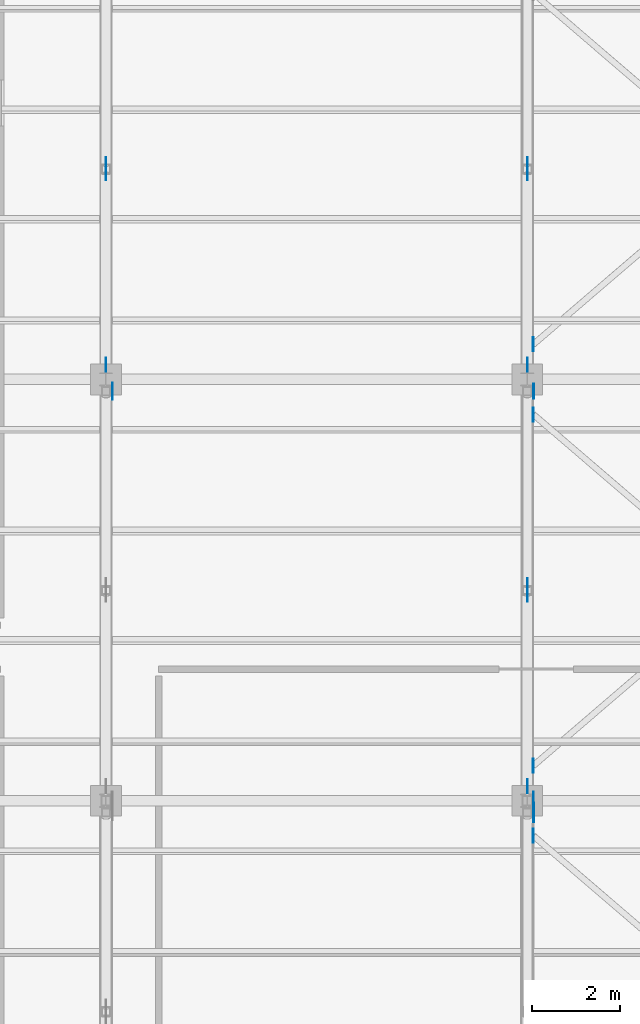
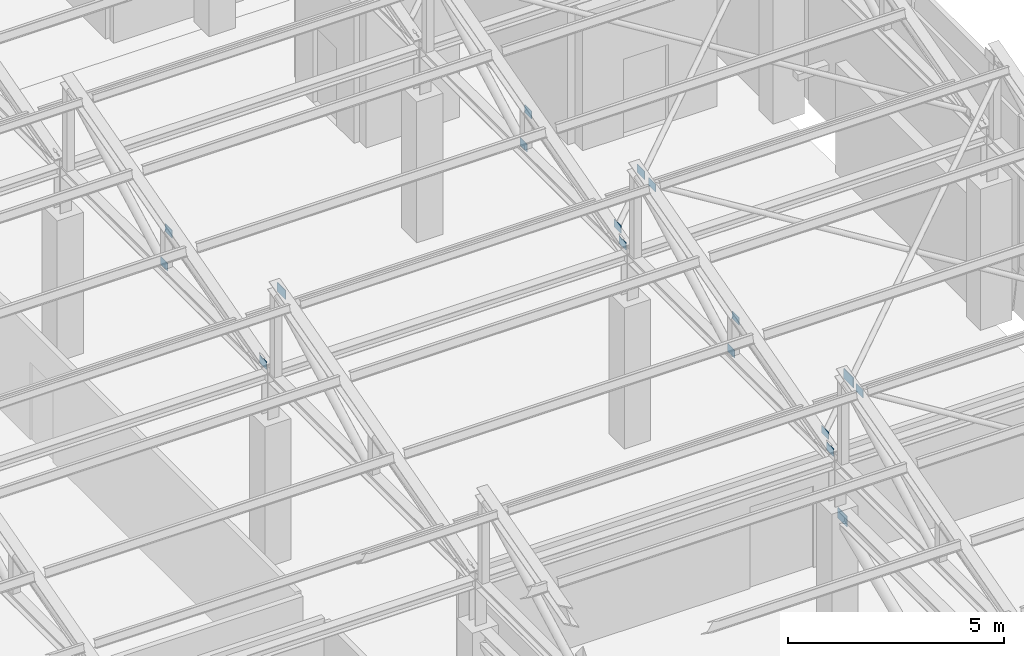
# One storey, part 50 of 71: 17 plates.
"""IFC4 building model written with IfcOpenShell, lengths in metres."""

import ifcopenshell
import ifcopenshell.guid

model = None  # the IFC model being written
_history = None  # IfcOwnerHistory: only IFC2X3 demands one
_inside = {}  # id of a spatial element -> (the spatial element, [elements in it])
_under = {}  # id of a project, library or spatial element -> (it, [spatial elements below it])
_declared = {}  # id of a project -> (the project, [libraries it declares])
_typed = {}  # id of a type object -> (the type object, [elements of that type])
_made_of = {}  # id of a material, layer set ... -> (it, [elements and type objects made of it])


def new_model(schema):
    """Start an empty IFC model of exactly this schema.

    Asked for "IFC4X3", IfcOpenShell would pick the latest addendum, in which some entities
    have other attributes; the version numbers below select the first issue.
    IFC2X3 requires an IfcOwnerHistory on every rooted entity: one is made here for all.
    """
    global model, _history
    if schema == "IFC4X3":
        model = ifcopenshell.file(schema_version=(4, 3, 0, 0))
    else:
        model = ifcopenshell.file(schema=schema)
    _inside.clear()
    _under.clear()
    _declared.clear()
    _typed.clear()
    _made_of.clear()
    _history = None
    if model.schema == "IFC2X3":
        org = make("IfcOrganization", Name="unknown")
        user = make(
            "IfcPersonAndOrganization",
            ThePerson=make("IfcPerson", FamilyName="unknown"),
            TheOrganization=org,
        )
        app = make(
            "IfcApplication",
            ApplicationDeveloper=org,
            Version="unknown",
            ApplicationFullName="unknown",
            ApplicationIdentifier="unknown",
        )
        _history = make(
            "IfcOwnerHistory",
            OwningUser=user,
            OwningApplication=app,
            ChangeAction="ADDED",
            CreationDate=0,
        )
    return model


def make(cls, **values):
    """One entity of the class cls with the attributes given. An attribute that is None is left unset."""
    return model.create_entity(
        cls, **{name: value for name, value in values.items() if value is not None}
    )


def rooted(cls, **values):
    """An entity with a GlobalId (a new one), such as an element, a storey or a relation."""
    return make(cls, GlobalId=ifcopenshell.guid.new(), OwnerHistory=_history, **values)


def si_unit(unit_type, name, prefix=None):
    """IfcSIUnit, for example si_unit("LENGTHUNIT", "METRE", prefix="MILLI")."""
    return make("IfcSIUnit", UnitType=unit_type, Prefix=prefix, Name=name)


def assignment(units):
    """IfcUnitAssignment: the units of a project."""
    return None if units is None else make("IfcUnitAssignment", Units=units)


def point(xyz):
    """IfcCartesianPoint."""
    return None if xyz is None else make("IfcCartesianPoint", Coordinates=xyz)


def direction(xyz):
    """IfcDirection."""
    return None if xyz is None else make("IfcDirection", DirectionRatios=xyz)


def frame(location, z_axis=None, x_axis=None):
    """IfcAxis2Placement3D, a coordinate frame: its origin and axes. An axis left out is left unset."""
    return make(
        "IfcAxis2Placement3D",
        Location=point(location),
        Axis=direction(z_axis),
        RefDirection=direction(x_axis),
    )


def frame_2d(location, x_axis=None):
    """IfcAxis2Placement2D, a coordinate frame in the plane: its origin and x axis."""
    return make(
        "IfcAxis2Placement2D", Location=point(location), RefDirection=direction(x_axis)
    )


def origin():
    """The frame at (0, 0, 0) with its axes left unset."""
    return frame((0.0, 0.0, 0.0))


def origin_2d():
    """The frame at (0, 0) in the plane with its x axis left unset."""
    return frame_2d((0.0, 0.0))


def place(relative_to, where):
    """IfcLocalPlacement: puts the frame where relative to a parent placement (None: the world)."""
    return make(
        "IfcLocalPlacement", PlacementRelTo=relative_to, RelativePlacement=where
    )


def context(
    kind, dimensions, precision=None, world=None, true_north=None, identifier=None
):
    """IfcGeometricRepresentationContext, for example the 3D "Model" context."""
    return make(
        "IfcGeometricRepresentationContext",
        ContextIdentifier=identifier,
        ContextType=kind,
        CoordinateSpaceDimension=dimensions,
        Precision=precision,
        WorldCoordinateSystem=world,
        TrueNorth=true_north,
    )


def subcontext(parent, identifier, kind, view, scale=None):
    """IfcGeometricRepresentationSubContext, for example "Body" below "Model"."""
    return make(
        "IfcGeometricRepresentationSubContext",
        ContextIdentifier=identifier,
        ContextType=kind,
        ParentContext=parent,
        TargetScale=scale,
        TargetView=view,
    )


def project(units=None, contexts=None):
    """IfcProject with its units and contexts."""
    return rooted(
        "IfcProject",
        Name="project",
        RepresentationContexts=contexts,
        UnitsInContext=assignment(units),
    )


def spatial(cls, under=None, at=None, **own):
    """A site, building, storey or space (cls), placed at a placement, below another one or the project."""
    s = rooted(cls, ObjectPlacement=at, **own)
    if under is not None:
        _under.setdefault(under.id(), (under, []))[1].append(s)
    return s


def profile(cls, at=None, kind="AREA", **sizes):
    """A parametric profile (cls). Its sizes go by their IFC names, for example OverallWidth=200.0."""
    return make(cls, ProfileType=kind, Position=at, **sizes)


def rectangle(**sizes):
    """IfcRectangleProfileDef."""
    return profile("IfcRectangleProfileDef", **sizes)


def extrude(swept, where, along, depth):
    """IfcExtrudedAreaSolid: the profile swept, set in the frame where, extruded along a direction by depth."""
    return make(
        "IfcExtrudedAreaSolid",
        SweptArea=swept,
        Position=where,
        ExtrudedDirection=direction(along),
        Depth=depth,
    )


def shape(context_of_items, identifier, shape_type, items):
    """IfcShapeRepresentation: the items that make up one representation, for example the "Body"."""
    return make(
        "IfcShapeRepresentation",
        ContextOfItems=context_of_items,
        RepresentationIdentifier=identifier,
        RepresentationType=shape_type,
        Items=items,
    )


def material(Name=None, Category=None):
    """IfcMaterial."""
    return make("IfcMaterial", Name=Name, Category=Category)


def layer(
    of_material, thickness, ventilated=None, Name=None, Category=None, Priority=None
):
    """IfcMaterialLayer: one layer of a wall or slab, of a material (None: an air gap)."""
    return make(
        "IfcMaterialLayer",
        Material=of_material,
        LayerThickness=thickness,
        IsVentilated=ventilated,
        Name=Name,
        Category=Category,
        Priority=Priority,
    )


def layer_set(layers, Name=None):
    """IfcMaterialLayerSet."""
    return make("IfcMaterialLayerSet", MaterialLayers=layers, LayerSetName=Name)


def made_of(thing, what):
    """Note that an element or type object is made of a material, layer set ...; save() writes the relation."""
    if what is not None:
        _made_of.setdefault(what.id(), (what, []))[1].append(thing)
    return thing


def type_object(cls, material=None, **own):
    """A type object (cls), such as IfcWallType, which elements share."""
    return made_of(rooted(cls, **own), material)


def element(
    cls,
    number,
    at=None,
    inside=None,
    cuts=None,
    type_object=None,
    material=None,
    context=None,
    identifier="Body",
    shape_type=None,
    held_by="IfcProductDefinitionShape",
    body=None,
    shapes=None,
    **own,
):
    """One element of the class cls, such as IfcWall. Its Tag is "e" and its number.

    at: its placement. inside: the storey or other place that contains it. cuts: it is an
    opening in that element (IfcRelVoidsElement). A single representation is given by context,
    identifier, shape_type and body (its items); several are given by shapes. held_by: the class
    of the entity that holds the representations. save() writes the other relations.
    """
    e = rooted(cls, Tag="e%d" % number, ObjectPlacement=at, **own)
    if body is not None:
        shapes = [shape(context, identifier, shape_type, body)]
    if shapes is not None:
        e.Representation = make(held_by, Representations=shapes)
    if inside is not None:
        _inside.setdefault(inside.id(), (inside, []))[1].append(e)
    if cuts is not None:
        rooted(
            "IfcRelVoidsElement", RelatingBuildingElement=cuts, RelatedOpeningElement=e
        )
    if type_object is not None:
        _typed.setdefault(type_object.id(), (type_object, []))[1].append(e)
    return made_of(e, material)


def aggregate(whole, parts):
    """IfcRelAggregates: a whole, such as a stair, and the parts it consists of."""
    return rooted("IfcRelAggregates", RelatingObject=whole, RelatedObjects=parts)


def save(model, path):
    """Write the relations noted so far, then the file.

    IfcRelAggregates (storeys below a building ...), IfcRelContainedInSpatialStructure (elements
    in a storey), IfcRelDefinesByType, IfcRelAssociatesMaterial and IfcRelDeclares: one each for
    every whole, place, type object, material and project.
    """
    for whole, parts in _under.values():
        aggregate(whole, parts)
    for where, things in _inside.values():
        rooted(
            "IfcRelContainedInSpatialStructure",
            RelatedElements=things,
            RelatingStructure=where,
        )
    for kind, things in _typed.values():
        rooted("IfcRelDefinesByType", RelatedObjects=things, RelatingType=kind)
    for what, things in _made_of.values():
        rooted("IfcRelAssociatesMaterial", RelatedObjects=things, RelatingMaterial=what)
    for by, libraries in _declared.values():
        rooted("IfcRelDeclares", RelatingContext=by, RelatedDefinitions=libraries)
    model.write(path)


model = new_model("IFC4")

# Units and contexts
model_context = context("Model", 3, precision=1e-05, world=origin(), true_north=direction((0.0, 1.0)))
body_context = subcontext(model_context, "Body", "Model", "MODEL_VIEW")
ifc_project = project(units=[si_unit("LENGTHUNIT", "METRE"), si_unit("AREAUNIT", "SQUARE_METRE"), si_unit("VOLUMEUNIT", "CUBIC_METRE"), si_unit("PLANEANGLEUNIT", "RADIAN"), si_unit("MASSUNIT", "GRAM", prefix="KILO")], contexts=[model_context])

# Site, building, storey
site_placement = place(None, origin())
site = spatial("IfcSite", under=ifc_project, at=site_placement, CompositionType="ELEMENT")
building_placement = place(site_placement, origin())
building = spatial("IfcBuilding", under=site, at=building_placement, Name="Bempovik Park Faculty of Sciences", CompositionType="ELEMENT")
storey_placement = place(building_placement, frame((0.0, 0.0, 14.10009765625)))
storey = spatial("IfcBuildingStorey", under=building, at=storey_placement, Name="L03", CompositionType="ELEMENT", Elevation=14.10009765625)

# Plates
ifc_material = material(Name="Steel S355", Category="steel")
ifc_layer_1 = layer(ifc_material, 0.01611328125)
ifc_layer_set_1 = layer_set([ifc_layer_1], Name="Steel S355")
plate_type_1 = type_object("IfcPlateType", Name="PL-19 Steel Plate 350x240x16", PredefinedType="USERDEFINED", material=ifc_layer_set_1)
plate_1_placement = place(storey_placement, frame((108.14599609375, 48.330078125, 7.484375), z_axis=(0.0, 0.0, 1.0), x_axis=(1.0, 0.0, 0.0)))
element("IfcPlate", 1, at=plate_1_placement, inside=storey, type_object=plate_type_1, Name="Sawtooth Ridge Gusset Plate V1-B3-108.0", ObjectType="STIFFENER PLATE", PredefinedType="USERDEFINED", context=body_context, shape_type="SweptSolid", body=[
    extrude(rectangle(XDim=0.01611328125, YDim=0.35009765625, at=origin_2d()), origin(), (0.0, 0.0, 1.0), 0.239990234375),
])
ifc_layer_2 = layer(ifc_material, 0.01806640625)
ifc_layer_set_2 = layer_set([ifc_layer_2], Name="Steel S355")
plate_type_2 = type_object("IfcPlateType", Name="PL-22 Steel Plate 420x300x18", PredefinedType="SHEET", material=ifc_layer_set_2)
plate_2_placement = place(storey_placement, frame((108.139892578125, 39.0, 3.3701171875), z_axis=(0.0, 0.0, 1.0), x_axis=(1.0, 0.0, 0.0)))
element("IfcPlate", 2, at=plate_2_placement, inside=storey, type_object=plate_type_2, Name="Cantilever Gusset Plate CT6-5-T", PredefinedType="SHEET", context=body_context, shape_type="SweptSolid", body=[
    extrude(rectangle(XDim=0.01806640625, YDim=0.419921875, at=origin_2d()), origin(), (0.0, 0.0, 1.0), 0.300048828125),
])
ifc_layer_3 = layer(ifc_material, 0.011962890625)
ifc_layer_set_3 = layer_set([ifc_layer_3], Name="Steel S355")
plate_type_3 = type_object("IfcPlateType", Name="PL-26 Steel Plate 320x220x12", PredefinedType="SHEET", material=ifc_layer_set_3)
for number, where, z_axis, x_axis, name in (
    (3, (108.135986328125, 38.199951171875, 7.46044921875), (0.0, 0.0, 1.0), (1.0, 0.0, 0.0), "Sawtooth X-Brace End Gusset V1-B2-108.0-3"),
    (4, (108.135986328125, 39.800048828125, 5.31640625), (0.0, 0.0, 1.0), (1.0, 0.0, 0.0), "Sawtooth X-Brace End Gusset V1-B3-108.0-1"),
    (5, (108.135986328125, 47.800048828125, 7.46044921875), (0.0, 0.0, 1.0), (1.0, 0.0, 0.0), "Sawtooth X-Brace End Gusset V1-B3-108.0-3"),
    (6, (108.135986328125, 49.39990234375, 5.31640625), (0.0, 0.0, 1.0), (1.0, 0.0, 0.0), "Sawtooth X-Brace End Gusset V1-B4-108.0-1"),
    (7, (108.0, 39.330078125, 5.17578125), (0.0, 0.0, 1.0), (1.0, 0.0, 0.0), "Brace/Strut End Gusset Plate SAW-V1-B3-D1-1080-E1"),
    (8, (108.0, 43.695068359375, 6.228515625), (0.0, 0.0, 1.0), (1.0, 0.0, 0.0), "Brace/Strut End Gusset Plate SAW-V1-B3-D1-1080-E2"),
    (9, (108.0, 43.905029296875, 5.17578125), (0.0, 0.0, 1.0), (1.0, 0.0, 0.0), "Brace/Strut End Gusset Plate SAW-V1-B3-D2-1080-E1"),
    (10, (98.39990234375, 48.929931640625, 5.17578125), (0.0, 0.0, 1.0), (1.0, 0.0, 0.0), "Brace/Strut End Gusset Plate SAW-V1-B4-D1-984-E1"),
    (11, (98.39990234375, 53.294921875, 6.228515625), (0.0, 0.0, 1.0), (1.0, 0.0, 0.0), "Brace/Strut End Gusset Plate SAW-V1-B4-D1-984-E2"),
    (12, (98.39990234375, 53.5048828125, 5.17578125), (0.0, 0.0, 1.0), (1.0, 0.0, 0.0), "Brace/Strut End Gusset Plate SAW-V1-B4-D2-984-E1"),
    (13, (108.0, 48.929931640625, 5.17578125), (0.0, 0.0, 1.0), (1.0, 0.0, 0.0), "Brace/Strut End Gusset Plate SAW-V1-B4-D1-1080-E1"),
    (14, (108.0, 53.294921875, 6.228515625), (0.0, 0.0, 1.0), (1.0, 0.0, 0.0), "Brace/Strut End Gusset Plate SAW-V1-B4-D1-1080-E2"),
    (15, (108.0, 53.5048828125, 5.17578125), (0.0, 0.0, 1.0), (1.0, 0.0, 0.0), "Brace/Strut End Gusset Plate SAW-V1-B4-D2-1080-E1"),
):
    element("IfcPlate", number, at=place(storey_placement, frame(where, z_axis=z_axis, x_axis=x_axis)), inside=storey, type_object=plate_type_3, Name=name, PredefinedType="SHEET", context=body_context, shape_type="SweptSolid", body=[
        extrude(rectangle(XDim=0.011962890625, YDim=0.320068359375, at=origin_2d()), origin(), (0.0, 0.0, 1.0), 0.219970703125),
    ])
ifc_layer_4 = layer(ifc_material, 0.02001953125)
ifc_layer_set_4 = layer_set([ifc_layer_4], Name="Steel S355")
plate_type_4 = type_object("IfcPlateType", Name="PL-36 Steel Plate 450x280x20", PredefinedType="USERDEFINED", material=ifc_layer_set_4)
plate_3_placement = place(storey_placement, frame((108.14794921875, 38.72998046875, 7.46435546875), z_axis=(0.0, 0.0, 1.0), x_axis=(1.0, 0.0, 0.0)))
element("IfcPlate", 16, at=plate_3_placement, inside=storey, type_object=plate_type_4, Name="Sawtooth Ridge Gusset Plate V1-B2-108.0", ObjectType="STIFFENER PLATE", PredefinedType="USERDEFINED", context=body_context, shape_type="SweptSolid", body=[
    extrude(rectangle(XDim=0.02001953125, YDim=0.449951171875, at=origin_2d()), origin(), (0.0, 0.0, 1.0), 0.280029296875),
])
ifc_layer_5 = layer(ifc_material, 0.01611328125)
ifc_layer_set_5 = layer_set([ifc_layer_5], Name="Steel S355")
plate_type_5 = type_object("IfcPlateType", Name="PL-50 Steel Plate 380x260x16", PredefinedType="SHEET", material=ifc_layer_set_5)
plate_4_placement = place(storey_placement, frame((98.5458984375, 48.330078125, 7.474609375), z_axis=(0.0, 0.0, 1.0), x_axis=(1.0, 0.0, 0.0)))
element("IfcPlate", 17, at=plate_4_placement, inside=storey, type_object=plate_type_5, Name="Sawtooth Ridge Gusset Plate V1-B3-98.4", PredefinedType="SHEET", context=body_context, shape_type="SweptSolid", body=[
    extrude(rectangle(XDim=0.01611328125, YDim=0.3798828125, at=origin_2d()), origin(), (0.0, 0.0, 1.0), 0.260009765625),
])

save(model, "model.ifc")
